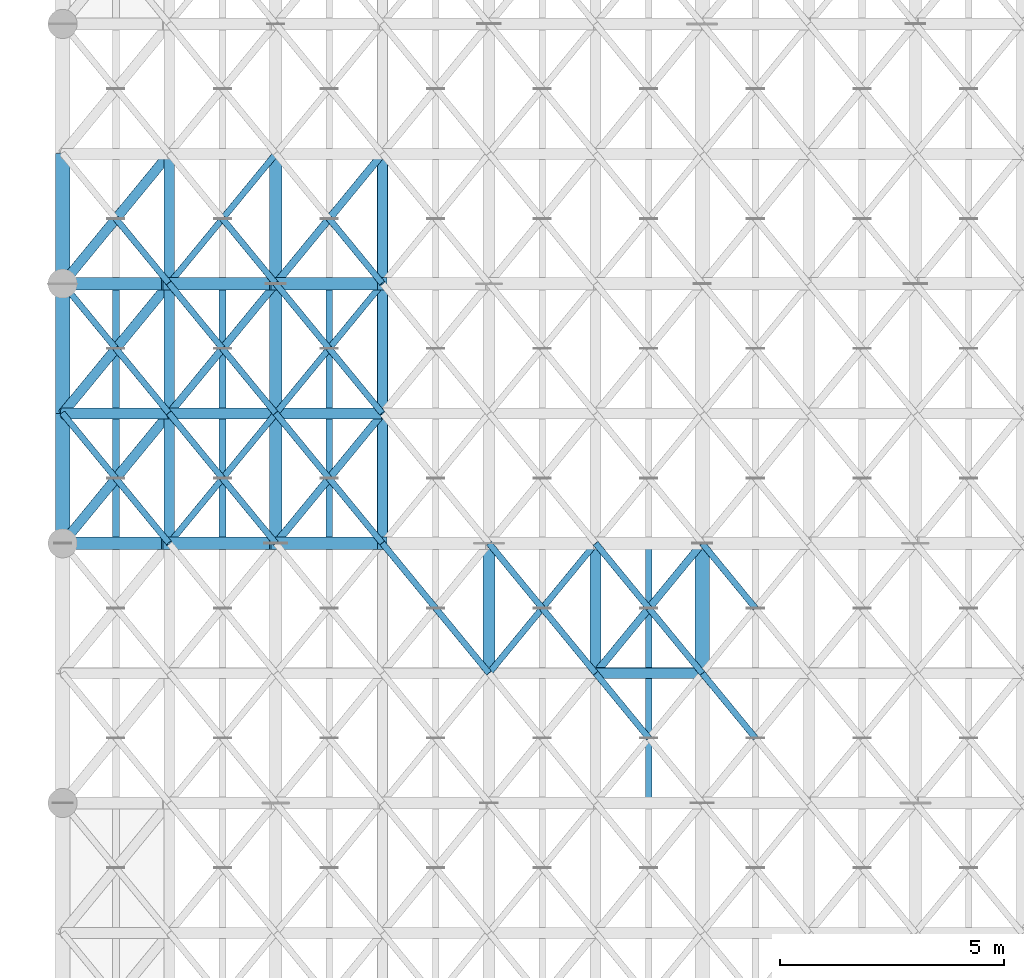
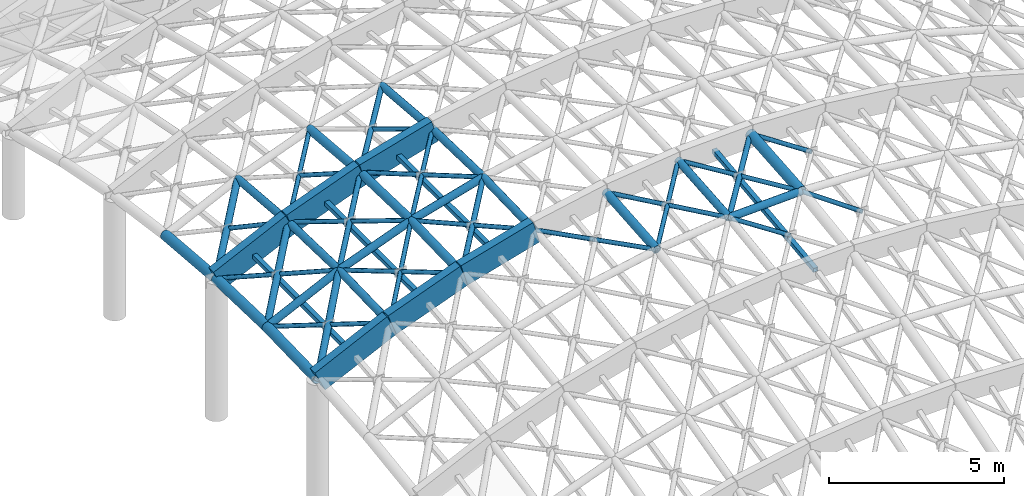
# One storey, part 39 of 146: 58 members, 6 beams.
"""IFC4 building model written with IfcOpenShell, lengths in metres."""

from ifc_helpers import new_model, si_unit, direction, frame, origin, origin_2d, place, context, subcontext, project, spatial, rectangle, hollow_rectangle, hollow_circle, extrude, material, material_profile, profile_set, type_object, element, save


model = new_model("IFC4")

# Units and contexts
model_context = context("Model", 3, precision=1e-05, world=origin(), true_north=direction((0.0, 1.0)))
body_context = subcontext(model_context, "Body", "Model", "MODEL_VIEW")
ifc_project = project(units=[si_unit("LENGTHUNIT", "METRE"), si_unit("AREAUNIT", "SQUARE_METRE"), si_unit("VOLUMEUNIT", "CUBIC_METRE"), si_unit("PLANEANGLEUNIT", "RADIAN"), si_unit("MASSUNIT", "GRAM", prefix="KILO")], contexts=[model_context])

# Site, building, storey
site_placement = place(None, origin())
site = spatial("IfcSite", under=ifc_project, at=site_placement, CompositionType="ELEMENT")
building_placement = place(site_placement, origin())
building = spatial("IfcBuilding", under=site, at=building_placement, Name="Valcora Specialist Clinic", CompositionType="ELEMENT")
storey_placement = place(building_placement, frame((0.0, 0.0, 9.52001953125)))
storey = spatial("IfcBuildingStorey", under=building, at=storey_placement, Name="L02", CompositionType="ELEMENT", Elevation=9.52001953125)

# Beams
ifc_material_1 = material(Name="Glulam Conifer Class 24F", Category="wood")
ifc_material_profile_1 = material_profile(ifc_material_1, rectangle(XDim=0.280029296875, YDim=0.780029296875, at=origin_2d()), Name="GL-ARC-280X780")
ifc_profile_set_1 = profile_set([ifc_material_profile_1], Name="Glulam Conifer Class 24F")
beam_type = type_object("IfcBeamType", Name="TY-AR-GL780", PredefinedType="JOIST", material=ifc_profile_set_1)
beam_1_placement = place(storey_placement, frame((0.75, 56.10693359375, 4.761474609375), z_axis=(0.902189145818, 0.0, 0.431340637048), x_axis=(0.0, 1.0, 0.0)))
element("IfcBeam", 1, at=beam_1_placement, inside=storey, type_object=beam_type, Name="Gridshell glulam arch chord BM-GSA-037", PredefinedType="JOIST", context=body_context, shape_type="SweptSolid", body=[
    extrude(rectangle(XDim=0.280029296875, YDim=0.780029296875, at=origin_2d()), origin(), (0.0, 0.0, 1.0), 2.632568359375),
])
beam_2_placement = place(storey_placement, frame((3.125, 56.10693359375, 5.89697265625), z_axis=(0.935695204238, 0.0, 0.352809417059), x_axis=(0.0, 1.0, 0.0)))
element("IfcBeam", 2, at=beam_2_placement, inside=storey, type_object=beam_type, Name="Gridshell glulam arch chord BM-GSA-038", PredefinedType="JOIST", context=body_context, shape_type="SweptSolid", body=[
    extrude(rectangle(XDim=0.280029296875, YDim=0.780029296875, at=origin_2d()), origin(), (0.0, 0.0, 1.0), 2.538330078125),
])
beam_3_placement = place(storey_placement, frame((5.5, 56.10693359375, 6.79248046875), z_axis=(0.961613421173, 0.0, 0.274407777259), x_axis=(0.0, 1.0, 0.0)))
element("IfcBeam", 3, at=beam_3_placement, inside=storey, type_object=beam_type, Name="Gridshell glulam arch chord BM-GSA-039", PredefinedType="JOIST", context=body_context, shape_type="SweptSolid", body=[
    extrude(rectangle(XDim=0.280029296875, YDim=0.780029296875, at=origin_2d()), origin(), (0.0, 0.0, 1.0), 2.4697265625),
])
beam_4_placement = place(storey_placement, frame((0.75, 61.89306640625, 4.761474609375), z_axis=(0.902189145818, 0.0, 0.431340637048), x_axis=(0.0, 1.0, 0.0)))
element("IfcBeam", 4, at=beam_4_placement, inside=storey, type_object=beam_type, Name="Gridshell glulam arch chord BM-GSA-049", PredefinedType="JOIST", context=body_context, shape_type="SweptSolid", body=[
    extrude(rectangle(XDim=0.280029296875, YDim=0.780029296875, at=origin_2d()), origin(), (0.0, 0.0, 1.0), 2.632568359375),
])
beam_5_placement = place(storey_placement, frame((3.125, 61.89306640625, 5.89697265625), z_axis=(0.935695204238, 0.0, 0.352809417059), x_axis=(0.0, 1.0, 0.0)))
element("IfcBeam", 5, at=beam_5_placement, inside=storey, type_object=beam_type, Name="Gridshell glulam arch chord BM-GSA-050", PredefinedType="JOIST", context=body_context, shape_type="SweptSolid", body=[
    extrude(rectangle(XDim=0.280029296875, YDim=0.780029296875, at=origin_2d()), origin(), (0.0, 0.0, 1.0), 2.538330078125),
])
beam_6_placement = place(storey_placement, frame((5.5, 61.89306640625, 6.79248046875), z_axis=(0.961613421173, 0.0, 0.274407777259), x_axis=(0.0, 1.0, 0.0)))
element("IfcBeam", 6, at=beam_6_placement, inside=storey, type_object=beam_type, Name="Gridshell glulam arch chord BM-GSA-051", PredefinedType="JOIST", context=body_context, shape_type="SweptSolid", body=[
    extrude(rectangle(XDim=0.280029296875, YDim=0.780029296875, at=origin_2d()), origin(), (0.0, 0.0, 1.0), 2.4697265625),
])

# Members
ifc_material_2 = material(Name="Steel ASTM A500 Grade C", Category="steel")
ifc_material_profile_2 = material_profile(ifc_material_2, hollow_circle(Radius=0.1220703125, WallThickness=0.010009765625, at=origin_2d()), Name="ST-CHS-244X10")
ifc_profile_set_2 = profile_set([ifc_material_profile_2], Name="Steel ASTM A500 Grade C")
member_type_1 = type_object("IfcMemberType", Name="TY-MB-GSC244", PredefinedType="CHORD", material=ifc_profile_set_2)
for number, where, z_axis, x_axis, name in (
    (7, (3.125, 56.10693359375, 5.89697265625), (0.0, 0.999614810788, 0.027753018797), (-1.0, 0.0, 0.0), "Gridshell longitudinal chord MB-L02-0021"),
    (8, (3.125, 59.0, 5.977294921875), (0.0, 0.999614810788, -0.027753018797), (-1.0, 0.0, 0.0), "Gridshell longitudinal chord MB-L02-0022"),
):
    element("IfcMember", number, at=place(storey_placement, frame(where, z_axis=z_axis, x_axis=x_axis)), inside=storey, type_object=member_type_1, Name=name, PredefinedType="CHORD", context=body_context, shape_type="SweptSolid", body=[
        extrude(hollow_circle(Radius=0.1220703125, WallThickness=0.010009765625, at=origin_2d()), origin(), (0.0, 0.0, 1.0), 2.894287109375),
    ])
member_1_placement = place(storey_placement, frame((3.125, 61.89306640625, 5.89697265625), z_axis=(0.0, 0.99650678891, -0.083511793517), x_axis=(-1.0, 0.0, 0.0)))
element("IfcMember", 9, at=member_1_placement, inside=storey, type_object=member_type_1, Name="Gridshell longitudinal chord MB-L02-0023", PredefinedType="CHORD", context=body_context, shape_type="SweptSolid", body=[
    extrude(hollow_circle(Radius=0.1220703125, WallThickness=0.010009765625, at=origin_2d()), origin(), (0.0, 0.0, 1.0), 2.903076171875),
])
for number, where, z_axis, x_axis, name in (
    (10, (7.875, 56.10693359375, 7.47021484375), (0.0, 0.999612467017, 0.027837309208), (-1.0, 0.0, 0.0), "Gridshell longitudinal chord MB-L02-0049"),
    (11, (7.875, 59.0, 7.55078125), (0.0, 0.999612467017, -0.027837309208), (-1.0, 0.0, 0.0), "Gridshell longitudinal chord MB-L02-0050"),
):
    element("IfcMember", number, at=place(storey_placement, frame(where, z_axis=z_axis, x_axis=x_axis)), inside=storey, type_object=member_type_1, Name=name, PredefinedType="CHORD", context=body_context, shape_type="SweptSolid", body=[
        extrude(hollow_circle(Radius=0.1220703125, WallThickness=0.010009765625, at=origin_2d()), origin(), (0.0, 0.0, 1.0), 2.894287109375),
    ])
for number, where, z_axis, x_axis, name in (
    (12, (7.875, 61.89306640625, 7.47021484375), (0.0, 0.99650678891, -0.083511793517), (-1.0, 0.0, 0.0), "Gridshell longitudinal chord MB-L02-0051"),
    (13, (12.625, 53.214111328125, 7.98388671875), (0.0, 0.99650678891, 0.083511793517), (-1.0, 0.0, 0.0), "Gridshell longitudinal chord MB-L02-0076"),
):
    element("IfcMember", number, at=place(storey_placement, frame(where, z_axis=z_axis, x_axis=x_axis)), inside=storey, type_object=member_type_1, Name=name, PredefinedType="CHORD", context=body_context, shape_type="SweptSolid", body=[
        extrude(hollow_circle(Radius=0.1220703125, WallThickness=0.010009765625, at=origin_2d()), origin(), (0.0, 0.0, 1.0), 2.903076171875),
    ])
member_2_placement = place(storey_placement, frame((12.625, 53.214111328125, 7.98388671875), z_axis=(0.999229898969, 0.0, 0.039237851707), x_axis=(0.0, 1.0, 0.0)))
element("IfcMember", 14, at=member_2_placement, inside=storey, type_object=member_type_1, Name="Gridshell secondary transverse chord MB-L02-0296", PredefinedType="CHORD", context=body_context, shape_type="SweptSolid", body=[
    extrude(hollow_circle(Radius=0.1220703125, WallThickness=0.010009765625, at=origin_2d()), origin(), (0.0, 0.0, 1.0), 2.376708984375),
])
member_3_placement = place(storey_placement, frame((0.75, 59.0, 4.842041015625), z_axis=(0.902225234529, 0.0, 0.431265146028), x_axis=(0.0, 1.0, 0.0)))
element("IfcMember", 15, at=member_3_placement, inside=storey, type_object=member_type_1, Name="Gridshell secondary transverse chord MB-L02-0303", PredefinedType="CHORD", context=body_context, shape_type="SweptSolid", body=[
    extrude(hollow_circle(Radius=0.1220703125, WallThickness=0.010009765625, at=origin_2d()), origin(), (0.0, 0.0, 1.0), 2.63232421875),
])
member_4_placement = place(storey_placement, frame((3.125, 59.0, 5.977294921875), z_axis=(0.935663448479, 0.0, 0.352893625871), x_axis=(0.0, 1.0, 0.0)))
element("IfcMember", 16, at=member_4_placement, inside=storey, type_object=member_type_1, Name="Gridshell secondary transverse chord MB-L02-0304", PredefinedType="CHORD", context=body_context, shape_type="SweptSolid", body=[
    extrude(hollow_circle(Radius=0.1220703125, WallThickness=0.010009765625, at=origin_2d()), origin(), (0.0, 0.0, 1.0), 2.538330078125),
])
member_5_placement = place(storey_placement, frame((5.5, 59.0, 6.873046875), z_axis=(0.961613421173, 0.0, 0.274407777259), x_axis=(0.0, 1.0, 0.0)))
element("IfcMember", 17, at=member_5_placement, inside=storey, type_object=member_type_1, Name="Gridshell secondary transverse chord MB-L02-0305", PredefinedType="CHORD", context=body_context, shape_type="SweptSolid", body=[
    extrude(hollow_circle(Radius=0.1220703125, WallThickness=0.010009765625, at=origin_2d()), origin(), (0.0, 0.0, 1.0), 2.4697265625),
])
ifc_material_profile_3 = material_profile(ifc_material_2, hollow_circle(Radius=0.136474609375, WallThickness=0.011962890625, at=origin_2d()), Name="ST-CHS-273X12")
ifc_profile_set_3 = profile_set([ifc_material_profile_3], Name="Steel ASTM A500 Grade C")
member_type_2 = type_object("IfcMemberType", Name="TY-MB-GSC273", PredefinedType="CHORD", material=ifc_profile_set_3)
for number, where, z_axis, x_axis, name in (
    (18, (5.5, 56.10693359375, 6.79248046875), (0.0, 0.999612467017, 0.027837309208), (-1.0, 0.0, 0.0), "Gridshell longitudinal chord MB-L02-0035"),
    (19, (5.5, 59.0, 6.873046875), (0.0, 0.999612467017, -0.027837309208), (-1.0, 0.0, 0.0), "Gridshell longitudinal chord MB-L02-0036"),
):
    element("IfcMember", number, at=place(storey_placement, frame(where, z_axis=z_axis, x_axis=x_axis)), inside=storey, type_object=member_type_2, Name=name, PredefinedType="CHORD", context=body_context, shape_type="SweptSolid", body=[
        extrude(hollow_circle(Radius=0.136474609375, WallThickness=0.011962890625, at=origin_2d()), origin(), (0.0, 0.0, 1.0), 2.894287109375),
    ])
for number, where, z_axis, x_axis, name in (
    (20, (5.5, 61.89306640625, 6.79248046875), (0.0, 0.99650678891, -0.083511793517), (-1.0, 0.0, 0.0), "Gridshell longitudinal chord MB-L02-0037"),
    (21, (10.25, 53.214111328125, 7.70263671875), (0.0, 0.99650678891, 0.083511793517), (-1.0, 0.0, 0.0), "Gridshell longitudinal chord MB-L02-0062"),
):
    element("IfcMember", number, at=place(storey_placement, frame(where, z_axis=z_axis, x_axis=x_axis)), inside=storey, type_object=member_type_2, Name=name, PredefinedType="CHORD", context=body_context, shape_type="SweptSolid", body=[
        extrude(hollow_circle(Radius=0.136474609375, WallThickness=0.011962890625, at=origin_2d()), origin(), (0.0, 0.0, 1.0), 2.903076171875),
    ])
ifc_material_profile_4 = material_profile(ifc_material_2, hollow_circle(Radius=0.162109375, WallThickness=0.011962890625, at=origin_2d()), Name="ST-CHS-324X12")
ifc_profile_set_4 = profile_set([ifc_material_profile_4], Name="Steel ASTM A500 Grade C")
member_type_3 = type_object("IfcMemberType", Name="TY-MB-GSC324", PredefinedType="CHORD", material=ifc_profile_set_4)
for number, where, z_axis, x_axis, name in (
    (22, (0.75, 56.10693359375, 4.761474609375), (0.0, 0.999612467017, 0.027837309208), (-1.0, 0.0, 0.0), "Gridshell longitudinal chord MB-L02-0007"),
    (23, (0.75, 59.0, 4.842041015625), (0.0, 0.999612467017, -0.027837309208), (-1.0, 0.0, 0.0), "Gridshell longitudinal chord MB-L02-0008"),
):
    element("IfcMember", number, at=place(storey_placement, frame(where, z_axis=z_axis, x_axis=x_axis)), inside=storey, type_object=member_type_3, Name=name, PredefinedType="CHORD", context=body_context, shape_type="SweptSolid", body=[
        extrude(hollow_circle(Radius=0.162109375, WallThickness=0.011962890625, at=origin_2d()), origin(), (0.0, 0.0, 1.0), 2.894287109375),
    ])
member_6_placement = place(storey_placement, frame((0.75, 61.89306640625, 4.761474609375), z_axis=(0.0, 0.996513784309, -0.083428278676), x_axis=(-1.0, 0.0, 0.0)))
element("IfcMember", 24, at=member_6_placement, inside=storey, type_object=member_type_3, Name="Gridshell longitudinal chord MB-L02-0009", PredefinedType="CHORD", context=body_context, shape_type="SweptSolid", body=[
    extrude(hollow_circle(Radius=0.162109375, WallThickness=0.011962890625, at=origin_2d()), origin(), (0.0, 0.0, 1.0), 2.90283203125),
])
member_7_placement = place(storey_placement, frame((15.0, 53.214111328125, 8.0771484375), z_axis=(0.0, 0.99650678891, 0.083511793517), x_axis=(-1.0, 0.0, 0.0)))
element("IfcMember", 25, at=member_7_placement, inside=storey, type_object=member_type_3, Name="Gridshell longitudinal chord MB-L02-0090", PredefinedType="CHORD", context=body_context, shape_type="SweptSolid", body=[
    extrude(hollow_circle(Radius=0.162109375, WallThickness=0.011962890625, at=origin_2d()), origin(), (0.0, 0.0, 1.0), 2.903076171875),
])
ifc_material_profile_5 = material_profile(ifc_material_2, hollow_circle(Radius=0.070068359375, WallThickness=0.006103515625, at=origin_2d()), Name="ST-CHS-140X6")
ifc_profile_set_5 = profile_set([ifc_material_profile_5], Name="Steel ASTM A500 Grade C")
member_type_4 = type_object("IfcMemberType", Name="TY-MB-GSD140", PredefinedType="BRACE", material=ifc_profile_set_5)
member_8_placement = place(storey_placement, frame((3.125, 56.10693359375, 5.89697265625), z_axis=(-0.610706262586, 0.743921588368, -0.271327350627), x_axis=(-0.772915884105, -0.634508499626, 0.0)))
element("IfcMember", 26, at=member_8_placement, inside=storey, type_object=member_type_4, Name="Gridshell split counter diagrid A MB-L02-0364", PredefinedType="BRACE", context=body_context, shape_type="SweptSolid", body=[
    extrude(hollow_circle(Radius=0.070068359375, WallThickness=0.006103515625, at=origin_2d()), origin(), (0.0, 0.0, 1.0), 1.944580078125),
])
member_9_placement = place(storey_placement, frame((3.125, 59.0, 5.977294921875), z_axis=(-0.603471061066, 0.735108149017, -0.308931525916), x_axis=(-0.772915884105, -0.634508499626, 0.0)))
element("IfcMember", 27, at=member_9_placement, inside=storey, type_object=member_type_4, Name="Gridshell split counter diagrid A MB-L02-0366", PredefinedType="BRACE", context=body_context, shape_type="SweptSolid", body=[
    extrude(hollow_circle(Radius=0.070068359375, WallThickness=0.006103515625, at=origin_2d()), origin(), (0.0, 0.0, 1.0), 1.9677734375),
])
member_10_placement = place(storey_placement, frame((3.125, 61.89306640625, 5.89697265625), z_axis=(-0.595442935099, 0.725328822052, -0.34546463052), x_axis=(-0.772915884105, -0.634508499626, 0.0)))
element("IfcMember", 28, at=member_10_placement, inside=storey, type_object=member_type_4, Name="Gridshell split counter diagrid A MB-L02-0368", PredefinedType="BRACE", context=body_context, shape_type="SweptSolid", body=[
    extrude(hollow_circle(Radius=0.070068359375, WallThickness=0.006103515625, at=origin_2d()), origin(), (0.0, 0.0, 1.0), 1.994384765625),
])
member_11_placement = place(storey_placement, frame((3.125, 56.10693359375, 5.89697265625), z_axis=(0.613976398055, 0.747905049028, 0.252331171816), x_axis=(-0.772915884105, 0.634508499626, 0.0)))
element("IfcMember", 29, at=member_11_placement, inside=storey, type_object=member_type_4, Name="Gridshell primary diagrid MB-L02-0391", PredefinedType="BRACE", context=body_context, shape_type="SweptSolid", body=[
    extrude(hollow_circle(Radius=0.070068359375, WallThickness=0.006103515625, at=origin_2d()), origin(), (0.0, 0.0, 1.0), 3.8681640625),
])
member_12_placement = place(storey_placement, frame((5.5, 56.10693359375, 6.79248046875), z_axis=(-0.61998425379, 0.755223417702, -0.212737195636), x_axis=(-0.772915884105, -0.634508499626, 0.0)))
element("IfcMember", 30, at=member_12_placement, inside=storey, type_object=member_type_4, Name="Gridshell split counter diagrid A MB-L02-0392", PredefinedType="BRACE", context=body_context, shape_type="SweptSolid", body=[
    extrude(hollow_circle(Radius=0.070068359375, WallThickness=0.006103515625, at=origin_2d()), origin(), (0.0, 0.0, 1.0), 1.915283203125),
])
member_13_placement = place(storey_placement, frame((5.5, 59.0, 6.873046875), z_axis=(-0.613956838068, 0.747881222359, -0.252449357758), x_axis=(-0.772915884105, -0.634508499626, 0.0)))
element("IfcMember", 31, at=member_13_placement, inside=storey, type_object=member_type_4, Name="Gridshell split counter diagrid A MB-L02-0394", PredefinedType="BRACE", context=body_context, shape_type="SweptSolid", body=[
    extrude(hollow_circle(Radius=0.070068359375, WallThickness=0.006103515625, at=origin_2d()), origin(), (0.0, 0.0, 1.0), 1.93408203125),
])
member_14_placement = place(storey_placement, frame((3.125, 61.89306640625, 5.89697265625), z_axis=(0.625096236152, 0.761386235831, 0.171888613457), x_axis=(-0.772889622479, 0.634540488436, 0.0)))
element("IfcMember", 32, at=member_14_placement, inside=storey, type_object=member_type_4, Name="Gridshell primary diagrid MB-L02-0395", PredefinedType="BRACE", context=body_context, shape_type="SweptSolid", body=[
    extrude(hollow_circle(Radius=0.070068359375, WallThickness=0.006103515625, at=origin_2d()), origin(), (0.0, 0.0, 1.0), 3.79931640625),
])
member_15_placement = place(storey_placement, frame((5.5, 61.89306640625, 6.79248046875), z_axis=(-0.607063180166, 0.739483828635, -0.290926042962), x_axis=(-0.772915884105, -0.634508499626, 0.0)))
element("IfcMember", 33, at=member_15_placement, inside=storey, type_object=member_type_4, Name="Gridshell split counter diagrid A MB-L02-0396", PredefinedType="BRACE", context=body_context, shape_type="SweptSolid", body=[
    extrude(hollow_circle(Radius=0.070068359375, WallThickness=0.006103515625, at=origin_2d()), origin(), (0.0, 0.0, 1.0), 1.9560546875),
])
member_16_placement = place(storey_placement, frame((7.875, 56.10693359375, 7.47021484375), z_axis=(-0.626584349535, 0.763263213609, -0.157547832953), x_axis=(-0.772915884105, -0.634508499626, 0.0)))
element("IfcMember", 34, at=member_16_placement, inside=storey, type_object=member_type_4, Name="Gridshell split counter diagrid A MB-L02-0420", PredefinedType="BRACE", context=body_context, shape_type="SweptSolid", body=[
    extrude(hollow_circle(Radius=0.070068359375, WallThickness=0.006103515625, at=origin_2d()), origin(), (0.0, 0.0, 1.0), 1.895263671875),
])
member_17_placement = place(storey_placement, frame((5.5, 59.0, 6.873046875), z_axis=(0.626584349535, 0.763263213609, 0.157547832953), x_axis=(-0.772915884105, 0.634508499626, 0.0)))
element("IfcMember", 35, at=member_17_placement, inside=storey, type_object=member_type_4, Name="Gridshell primary diagrid MB-L02-0421", PredefinedType="BRACE", context=body_context, shape_type="SweptSolid", body=[
    extrude(hollow_circle(Radius=0.070068359375, WallThickness=0.006103515625, at=origin_2d()), origin(), (0.0, 0.0, 1.0), 3.790283203125),
])
member_18_placement = place(storey_placement, frame((7.875, 59.0, 7.55078125), z_axis=(-0.621875254958, 0.757526909051, -0.198555154389), x_axis=(-0.772915884105, -0.634508499626, 0.0)))
element("IfcMember", 36, at=member_18_placement, inside=storey, type_object=member_type_4, Name="Gridshell split counter diagrid A MB-L02-0422", PredefinedType="BRACE", context=body_context, shape_type="SweptSolid", body=[
    extrude(hollow_circle(Radius=0.070068359375, WallThickness=0.006103515625, at=origin_2d()), origin(), (0.0, 0.0, 1.0), 1.90966796875),
])
member_19_placement = place(storey_placement, frame((7.875, 61.89306640625, 7.47021484375), z_axis=(-0.616172377465, 0.750580044506, -0.238665452127), x_axis=(-0.772915884105, -0.634508499626, 0.0)))
element("IfcMember", 37, at=member_19_placement, inside=storey, type_object=member_type_4, Name="Gridshell split counter diagrid A MB-L02-0424", PredefinedType="BRACE", context=body_context, shape_type="SweptSolid", body=[
    extrude(hollow_circle(Radius=0.070068359375, WallThickness=0.006103515625, at=origin_2d()), origin(), (0.0, 0.0, 1.0), 1.92724609375),
])
member_20_placement = place(storey_placement, frame((10.25, 53.214111328125, 7.70263671875), z_axis=(-0.63335240429, 0.771377393712, -0.061981032986), x_axis=(-0.772863356881, -0.634572479384, 0.0)))
element("IfcMember", 38, at=member_20_placement, inside=storey, type_object=member_type_4, Name="Gridshell split counter diagrid A MB-L02-0446", PredefinedType="BRACE", context=body_context, shape_type="SweptSolid", body=[
    extrude(hollow_circle(Radius=0.070068359375, WallThickness=0.006103515625, at=origin_2d()), origin(), (0.0, 0.0, 1.0), 1.875),
])
member_21_placement = place(storey_placement, frame((10.25, 53.214111328125, 7.70263671875), z_axis=(0.628419301344, 0.765433830349, 0.13856490557), x_axis=(-0.772889622479, 0.634540488436, 0.0)))
element("IfcMember", 39, at=member_21_placement, inside=storey, type_object=member_type_4, Name="Gridshell primary diagrid MB-L02-0473", PredefinedType="BRACE", context=body_context, shape_type="SweptSolid", body=[
    extrude(hollow_circle(Radius=0.070068359375, WallThickness=0.006103515625, at=origin_2d()), origin(), (0.0, 0.0, 1.0), 3.779296875),
])
member_22_placement = place(storey_placement, frame((12.625, 53.214111328125, 7.98388671875), z_axis=(-0.634538778122, 0.772822311183, -0.010306036898), x_axis=(-0.772863356881, -0.634572479384, 0.0)))
element("IfcMember", 40, at=member_22_placement, inside=storey, type_object=member_type_4, Name="Gridshell split counter diagrid A MB-L02-0474", PredefinedType="BRACE", context=body_context, shape_type="SweptSolid", body=[
    extrude(hollow_circle(Radius=0.070068359375, WallThickness=0.006103515625, at=origin_2d()), origin(), (0.0, 0.0, 1.0), 1.871337890625),
])
member_23_placement = place(storey_placement, frame((15.0, 53.214111328125, 8.0771484375), z_axis=(-0.634070702215, 0.772252228602, 0.039759778819), x_axis=(-0.772863356881, -0.634572479384, 0.0)))
element("IfcMember", 41, at=member_23_placement, inside=storey, type_object=member_type_4, Name="Gridshell split counter diagrid A MB-L02-0502", PredefinedType="BRACE", context=body_context, shape_type="SweptSolid", body=[
    extrude(hollow_circle(Radius=0.070068359375, WallThickness=0.006103515625, at=origin_2d()), origin(), (0.0, 0.0, 1.0), 1.872802734375),
])
member_24_placement = place(storey_placement, frame((1.9375, 57.553466796875, 5.369384765625), z_axis=(-0.610727063693, 0.743946926888, -0.271211031574), x_axis=(-0.772915884105, -0.634508499626, 0.0)))
element("IfcMember", 42, at=member_24_placement, inside=storey, type_object=member_type_4, Name="Gridshell split counter diagrid B 7", PredefinedType="BRACE", context=body_context, shape_type="SweptSolid", body=[
    extrude(hollow_circle(Radius=0.070068359375, WallThickness=0.006103515625, at=origin_2d()), origin(), (0.0, 0.0, 1.0), 1.9443359375),
])
member_25_placement = place(storey_placement, frame((1.9375, 60.446533203125, 5.369384765625), z_axis=(-0.603471061066, 0.735108149017, -0.308931525916), x_axis=(-0.772915884105, -0.634508499626, 0.0)))
element("IfcMember", 43, at=member_25_placement, inside=storey, type_object=member_type_4, Name="Gridshell split counter diagrid B 8", PredefinedType="BRACE", context=body_context, shape_type="SweptSolid", body=[
    extrude(hollow_circle(Radius=0.070068359375, WallThickness=0.006103515625, at=origin_2d()), origin(), (0.0, 0.0, 1.0), 1.9677734375),
])
member_26_placement = place(storey_placement, frame((4.3125, 57.553466796875, 6.385009765625), z_axis=(-0.619967437755, 0.755202933531, -0.212858885907), x_axis=(-0.772915884105, -0.634508499626, 0.0)))
element("IfcMember", 44, at=member_26_placement, inside=storey, type_object=member_type_4, Name="Gridshell split counter diagrid B 21", PredefinedType="BRACE", context=body_context, shape_type="SweptSolid", body=[
    extrude(hollow_circle(Radius=0.070068359375, WallThickness=0.006103515625, at=origin_2d()), origin(), (0.0, 0.0, 1.0), 1.91552734375),
])
member_27_placement = place(storey_placement, frame((4.3125, 60.446533203125, 6.384765625), z_axis=(-0.613995950127, 0.747928866057, -0.252212974579), x_axis=(-0.772915884105, -0.634508499626, 0.0)))
element("IfcMember", 45, at=member_27_placement, inside=storey, type_object=member_type_4, Name="Gridshell split counter diagrid B 22", PredefinedType="BRACE", context=body_context, shape_type="SweptSolid", body=[
    extrude(hollow_circle(Radius=0.070068359375, WallThickness=0.006103515625, at=origin_2d()), origin(), (0.0, 0.0, 1.0), 1.93408203125),
])
member_28_placement = place(storey_placement, frame((6.6875, 57.553466796875, 7.171630859375), z_axis=(-0.626584349535, 0.763263213609, -0.157547832953), x_axis=(-0.772915884105, -0.634508499626, 0.0)))
element("IfcMember", 46, at=member_28_placement, inside=storey, type_object=member_type_4, Name="Gridshell split counter diagrid B 35", PredefinedType="BRACE", context=body_context, shape_type="SweptSolid", body=[
    extrude(hollow_circle(Radius=0.070068359375, WallThickness=0.006103515625, at=origin_2d()), origin(), (0.0, 0.0, 1.0), 1.895263671875),
])
member_29_placement = place(storey_placement, frame((6.6875, 60.446533203125, 7.171630859375), z_axis=(-0.621875254958, 0.757526909051, -0.198555154389), x_axis=(-0.772915884105, -0.634508499626, 0.0)))
element("IfcMember", 47, at=member_29_placement, inside=storey, type_object=member_type_4, Name="Gridshell split counter diagrid B 36", PredefinedType="BRACE", context=body_context, shape_type="SweptSolid", body=[
    extrude(hollow_circle(Radius=0.070068359375, WallThickness=0.006103515625, at=origin_2d()), origin(), (0.0, 0.0, 1.0), 1.90966796875),
])
member_30_placement = place(storey_placement, frame((9.0625, 54.660400390625, 7.58642578125), z_axis=(-0.633288792823, 0.771430118725, -0.06197480785), x_axis=(-0.772915884105, -0.634508499626, 0.0)))
element("IfcMember", 48, at=member_30_placement, inside=storey, type_object=member_type_4, Name="Gridshell split counter diagrid B 48", PredefinedType="BRACE", context=body_context, shape_type="SweptSolid", body=[
    extrude(hollow_circle(Radius=0.070068359375, WallThickness=0.006103515625, at=origin_2d()), origin(), (0.0, 0.0, 1.0), 1.875244140625),
])
member_31_placement = place(storey_placement, frame((11.4375, 54.660400390625, 7.964599609375), z_axis=(-0.63447395029, 0.772873798411, -0.010435426814), x_axis=(-0.772915884105, -0.634508499626, 0.0)))
element("IfcMember", 49, at=member_31_placement, inside=storey, type_object=member_type_4, Name="Gridshell split counter diagrid B 62", PredefinedType="BRACE", context=body_context, shape_type="SweptSolid", body=[
    extrude(hollow_circle(Radius=0.070068359375, WallThickness=0.006103515625, at=origin_2d()), origin(), (0.0, 0.0, 1.0), 1.87158203125),
])
member_32_placement = place(storey_placement, frame((13.8125, 51.767578125, 7.827392578125), z_axis=(-0.632301810899, 0.770227843251, 0.083327602958), x_axis=(-0.772915884105, -0.634508499626, 0.0)))
element("IfcMember", 50, at=member_32_placement, inside=storey, type_object=member_type_4, Name="Gridshell split counter diagrid B 75", PredefinedType="BRACE", context=body_context, shape_type="SweptSolid", body=[
    extrude(hollow_circle(Radius=0.070068359375, WallThickness=0.006103515625, at=origin_2d()), origin(), (0.0, 0.0, 1.0), 1.878173828125),
])
member_33_placement = place(storey_placement, frame((13.8125, 54.660400390625, 8.151611328125), z_axis=(-0.634003583287, 0.772300828736, 0.039885916218), x_axis=(-0.772915884105, -0.634508499626, 0.0)))
element("IfcMember", 51, at=member_33_placement, inside=storey, type_object=member_type_4, Name="Gridshell split counter diagrid B 76", PredefinedType="BRACE", context=body_context, shape_type="SweptSolid", body=[
    extrude(hollow_circle(Radius=0.070068359375, WallThickness=0.006103515625, at=origin_2d()), origin(), (0.0, 0.0, 1.0), 1.873046875),
])
member_34_placement = place(storey_placement, frame((16.1875, 51.767578125, 7.827392578125), z_axis=(-0.628932887754, 0.766124046041, 0.132277620101), x_axis=(-0.772915884105, -0.634508499626, 0.0)))
element("IfcMember", 52, at=member_34_placement, inside=storey, type_object=member_type_4, Name="Gridshell split counter diagrid B 89", PredefinedType="BRACE", context=body_context, shape_type="SweptSolid", body=[
    extrude(hollow_circle(Radius=0.070068359375, WallThickness=0.006103515625, at=origin_2d()), origin(), (0.0, 0.0, 1.0), 1.88818359375),
])
member_35_placement = place(storey_placement, frame((16.1875, 54.660400390625, 8.151611328125), z_axis=(-0.631968357357, 0.769821652414, 0.089390261074), x_axis=(-0.772915884105, -0.634508499626, 0.0)))
element("IfcMember", 53, at=member_35_placement, inside=storey, type_object=member_type_4, Name="Gridshell split counter diagrid B 90", PredefinedType="BRACE", context=body_context, shape_type="SweptSolid", body=[
    extrude(hollow_circle(Radius=0.070068359375, WallThickness=0.006103515625, at=origin_2d()), origin(), (0.0, 0.0, 1.0), 1.879150390625),
])
ifc_material_profile_6 = material_profile(ifc_material_2, hollow_circle(Radius=0.083984375, WallThickness=0.008056640625, at=origin_2d()), Name="ST-CHS-168X8")
ifc_profile_set_6 = profile_set([ifc_material_profile_6], Name="Steel ASTM A500 Grade C")
member_type_5 = type_object("IfcMemberType", Name="TY-MB-GSD168", PredefinedType="BRACE", material=ifc_profile_set_6)
member_36_placement = place(storey_placement, frame((3.125, 59.0, 5.977294921875), z_axis=(0.61997584686, 0.755213176942, 0.212798042009), x_axis=(-0.772915884105, 0.634508499626, 0.0)))
element("IfcMember", 54, at=member_36_placement, inside=storey, type_object=member_type_5, Name="Gridshell primary diagrid MB-L02-0393", PredefinedType="BRACE", context=body_context, shape_type="SweptSolid", body=[
    extrude(hollow_circle(Radius=0.083984375, WallThickness=0.008056640625, at=origin_2d()), origin(), (0.0, 0.0, 1.0), 3.830810546875),
])
member_37_placement = place(storey_placement, frame((5.5, 56.10693359375, 6.79248046875), z_axis=(0.621875254958, 0.757526909051, 0.198555154389), x_axis=(-0.772915884105, 0.634508499626, 0.0)))
element("IfcMember", 55, at=member_37_placement, inside=storey, type_object=member_type_5, Name="Gridshell primary diagrid MB-L02-0419", PredefinedType="BRACE", context=body_context, shape_type="SweptSolid", body=[
    extrude(hollow_circle(Radius=0.083984375, WallThickness=0.008056640625, at=origin_2d()), origin(), (0.0, 0.0, 1.0), 3.819091796875),
])
member_38_placement = place(storey_placement, frame((5.5, 61.89306640625, 6.79248046875), z_axis=(0.630292093197, 0.76771494781, 0.115523314368), x_axis=(-0.772889622479, 0.634540488436, 0.0)))
element("IfcMember", 56, at=member_38_placement, inside=storey, type_object=member_type_5, Name="Gridshell primary diagrid MB-L02-0423", PredefinedType="BRACE", context=body_context, shape_type="SweptSolid", body=[
    extrude(hollow_circle(Radius=0.083984375, WallThickness=0.008056640625, at=origin_2d()), origin(), (0.0, 0.0, 1.0), 3.76806640625),
])
member_39_placement = place(storey_placement, frame((12.625, 53.214111328125, 7.98388671875), z_axis=(0.632003632673, 0.76979965497, 0.089330283196), x_axis=(-0.772889622479, 0.634540488436, 0.0)))
element("IfcMember", 57, at=member_39_placement, inside=storey, type_object=member_type_5, Name="Gridshell primary diagrid MB-L02-0501", PredefinedType="BRACE", context=body_context, shape_type="SweptSolid", body=[
    extrude(hollow_circle(Radius=0.083984375, WallThickness=0.008056640625, at=origin_2d()), origin(), (0.0, 0.0, 1.0), 3.7578125),
])
ifc_material_profile_7 = material_profile(ifc_material_2, hollow_circle(Radius=0.109619140625, WallThickness=0.010009765625, at=origin_2d()), Name="ST-CHS-219X10")
ifc_profile_set_7 = profile_set([ifc_material_profile_7], Name="Steel ASTM A500 Grade C")
member_type_6 = type_object("IfcMemberType", Name="TY-MB-GSD219", PredefinedType="BRACE", material=ifc_profile_set_7)
member_40_placement = place(storey_placement, frame((0.75, 56.10693359375, 4.761474609375), z_axis=(0.603471061066, 0.735108149017, 0.308931525916), x_axis=(-0.772915884105, 0.634508499626, 0.0)))
element("IfcMember", 58, at=member_40_placement, inside=storey, type_object=member_type_6, Name="Gridshell primary diagrid MB-L02-0363", PredefinedType="BRACE", context=body_context, shape_type="SweptSolid", body=[
    extrude(hollow_circle(Radius=0.109619140625, WallThickness=0.010009765625, at=origin_2d()), origin(), (0.0, 0.0, 1.0), 3.935546875),
])
member_41_placement = place(storey_placement, frame((0.75, 59.0, 4.842041015625), z_axis=(0.610716664077, 0.74393425877, 0.271269192586), x_axis=(-0.772915884105, 0.634508499626, 0.0)))
element("IfcMember", 59, at=member_41_placement, inside=storey, type_object=member_type_6, Name="Gridshell primary diagrid MB-L02-0365", PredefinedType="BRACE", context=body_context, shape_type="SweptSolid", body=[
    extrude(hollow_circle(Radius=0.109619140625, WallThickness=0.010009765625, at=origin_2d()), origin(), (0.0, 0.0, 1.0), 3.888916015625),
])
member_42_placement = place(storey_placement, frame((0.75, 61.89306640625, 4.761474609375), z_axis=(0.617213970068, 0.751785395902, 0.232089710373), x_axis=(-0.772889622479, 0.634540488436, 0.0)))
element("IfcMember", 60, at=member_42_placement, inside=storey, type_object=member_type_6, Name="Gridshell primary diagrid MB-L02-0367", PredefinedType="BRACE", context=body_context, shape_type="SweptSolid", body=[
    extrude(hollow_circle(Radius=0.109619140625, WallThickness=0.010009765625, at=origin_2d()), origin(), (0.0, 0.0, 1.0), 3.847900390625),
])
ifc_material_profile_8 = material_profile(ifc_material_2, hollow_rectangle(XDim=0.14990234375, YDim=0.14990234375, WallThickness=0.006103515625, at=origin_2d()), Name="ST-RHS-150X150X6")
ifc_profile_set_8 = profile_set([ifc_material_profile_8], Name="Steel ASTM A500 Grade C")
member_type_7 = type_object("IfcMemberType", Name="TY-MB-PR150", PredefinedType="PURLIN", material=ifc_profile_set_8)
for number, where, z_axis, x_axis, name in (
    (61, (1.93798828125, 56.10693359375, 5.209228515625), (0.0, 1.0, 0.0), (-1.0, 0.0, 0.0), "Gridshell secondary purlin MB-L02-0186"),
    (62, (4.31201171875, 56.10693359375, 6.224609375), (0.0, 1.0, 0.0), (-1.0, 0.0, 0.0), "Gridshell secondary purlin MB-L02-0193"),
    (63, (6.68798828125, 56.10693359375, 7.011474609375), (0.0, 1.0, 0.0), (-1.0, 0.0, 0.0), "Gridshell secondary purlin MB-L02-0200"),
):
    element("IfcMember", number, at=place(storey_placement, frame(where, z_axis=z_axis, x_axis=x_axis)), inside=storey, type_object=member_type_7, Name=name, PredefinedType="PURLIN", context=body_context, shape_type="SweptSolid", body=[
        extrude(hollow_rectangle(XDim=0.14990234375, YDim=0.14990234375, WallThickness=0.006103515625, at=origin_2d()), origin(), (0.0, 0.0, 1.0), 5.7861328125),
    ])
member_43_placement = place(storey_placement, frame((13.81201171875, 50.321044921875, 7.50390625), z_axis=(0.0, 0.993769167561, 0.111457801906), x_axis=(-1.0, 0.0, 0.0)))
element("IfcMember", 64, at=member_43_placement, inside=storey, type_object=member_type_7, Name="Gridshell secondary purlin MB-L02-0220", PredefinedType="PURLIN", context=body_context, shape_type="SweptSolid", body=[
    extrude(hollow_rectangle(XDim=0.14990234375, YDim=0.14990234375, WallThickness=0.006103515625, at=origin_2d()), origin(), (0.0, 0.0, 1.0), 5.822265625),
])

save(model, "model.ifc")
